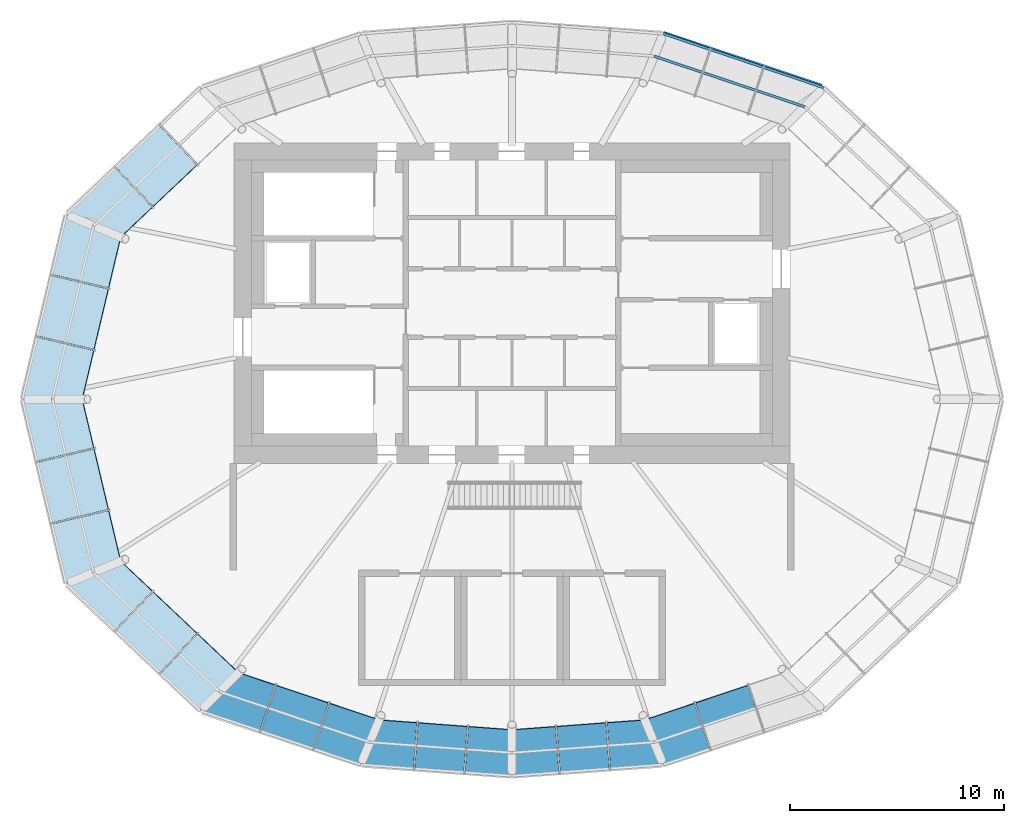
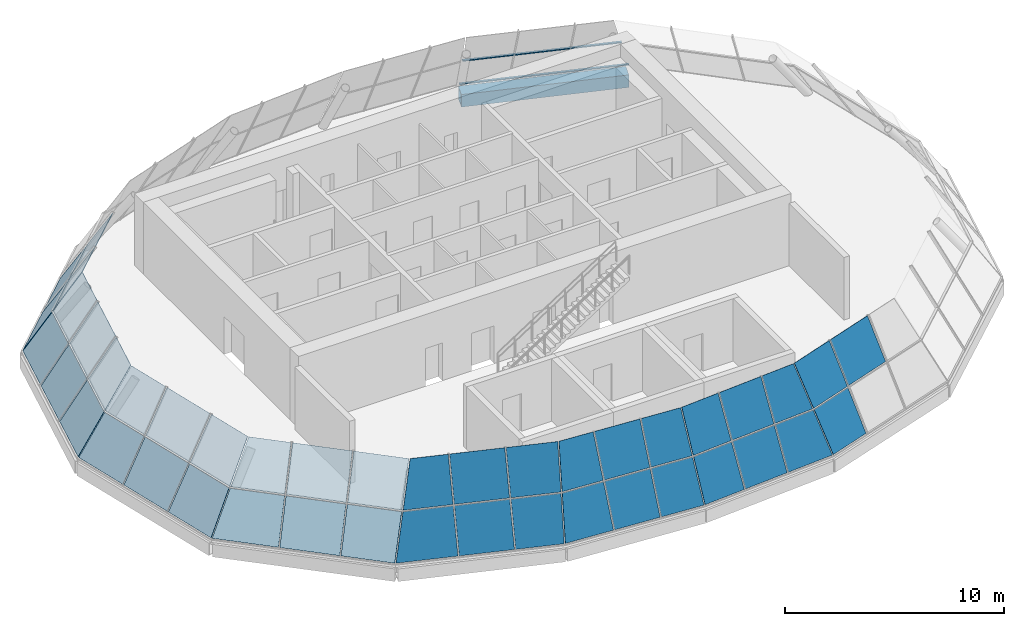
# One storey, part 3 of 8: 43 plates, 2 members, 1 beam, 9 elements without a shape of their own.
"""IFC4 building model written with IfcOpenShell, lengths in metres."""

from ifc_helpers import new_model, si_unit, direction, frame, origin, origin_2d, place, context, subcontext, project, spatial, polyline, rectangle, hollow_rectangle, outline, extrude, material, layer, layer_set, material_profile, profile_set, type_object, element, aggregate, save


model = new_model("IFC4")

# Units and contexts
model_context = context("Model", 3, precision=1e-05, world=origin(), true_north=direction((0.0, 1.0)))
body_context = subcontext(model_context, "Body", "Model", "MODEL_VIEW")
ifc_project = project(units=[si_unit("LENGTHUNIT", "METRE"), si_unit("AREAUNIT", "SQUARE_METRE"), si_unit("VOLUMEUNIT", "CUBIC_METRE"), si_unit("PLANEANGLEUNIT", "RADIAN"), si_unit("MASSUNIT", "GRAM", prefix="KILO")], contexts=[model_context])

# Site, building, storey
site_placement = place(None, origin())
site = spatial("IfcSite", under=ifc_project, at=site_placement, CompositionType="ELEMENT")
building_placement = place(site_placement, origin())
building = spatial("IfcBuilding", under=site, at=building_placement, Name="Rubra Terraces Tower", CompositionType="ELEMENT")
storey_placement = place(building_placement, frame((0.0, 0.0, 316.199951171875)))
storey = spatial("IfcBuildingStorey", under=building, at=storey_placement, Name="L78", CompositionType="ELEMENT", Elevation=316.199951171875)

# Beam
ifc_material_1 = material(Name="Steel Q355B", Category="steel")
ifc_material_profile_1 = material_profile(ifc_material_1, hollow_rectangle(XDim=0.699951171875, YDim=0.699951171875, WallThickness=0.034912109375, at=origin_2d()), Name="BOX 700x700x35")
ifc_profile_set_1 = profile_set([ifc_material_profile_1], Name="Steel Q355B")
beam_type = type_object("IfcBeamType", Name="CROWN RING GIRDER BOX 700x700x35", PredefinedType="BEAM", material=ifc_profile_set_1)
beam_placement = place(storey_placement, frame((14.41796875, 14.41796875, -0.550048828125), z_axis=(-0.948848570774, 0.315731515278, 0.0), x_axis=(-0.315731515278, -0.948848570774, 0.0)))
element("IfcBeam", 1, at=beam_placement, inside=storey, type_object=beam_type, Name="CROWN RING GIRDER", PredefinedType="BEAM", context=body_context, shape_type="SweptSolid", body=[
    extrude(hollow_rectangle(XDim=0.699951171875, YDim=0.699951171875, WallThickness=0.034912109375, at=origin_2d()), origin(), (0.0, 0.0, 1.0), 7.822998046875),
])

# Curtain wall, members
ifc_material_2 = material(Name="Aluminium and glass", Category="aluminium")
curtain_wall_type = type_object("IfcCurtainWallType", Name="Curtain wall Crown glazing", PredefinedType="NOTDEFINED", material=ifc_material_2)
curtain_wall_1_placement = place(storey_placement, origin())
curtain_wall_1 = element("IfcCurtainWall", 2, at=curtain_wall_1_placement, inside=storey, type_object=curtain_wall_type, Name="Crown glazing L78 facet 3", PredefinedType="NOTDEFINED")
ifc_material_3 = material(Name="Aluminium, anodised dark grey", Category="aluminium")
ifc_material_profile_2 = material_profile(ifc_material_3, rectangle(XDim=0.1201171875, YDim=0.06005859375, at=origin_2d()), Name="AL 120x60")
ifc_profile_set_2 = profile_set([ifc_material_profile_2], Name="Aluminium, anodised dark grey")
member_type = type_object("IfcMemberType", Name="Crown glazing transom 120 x 60", PredefinedType="USERDEFINED", material=ifc_profile_set_2)
member_1_placement = place(storey_placement, frame((14.5830078125, 14.5830078125, 0.0), z_axis=(-0.947908963881, 0.318541357116, 0.0), x_axis=(-0.318541357116, -0.947908963881, 0.0)))
member_1 = element("IfcMember", 3, at=member_1_placement, type_object=member_type, Name="Crown glazing L78 facet 3 transom 1", ObjectType="TRANSOM", PredefinedType="USERDEFINED", context=body_context, shape_type="SweptSolid", body=[
    extrude(rectangle(XDim=0.1201171875, YDim=0.06005859375, at=origin_2d()), origin(), (0.0, 0.0, 1.0), 7.9111328125),
])
member_2_placement = place(storey_placement, frame((13.68701171875, 13.6875, 2.10009765625), z_axis=(-0.947914369577, 0.318525270504, 0.0), x_axis=(-0.318525270504, -0.947914369577, 0.0)))
member_2 = element("IfcMember", 4, at=member_2_placement, type_object=member_type, Name="Crown glazing L78 facet 3 transom 2", ObjectType="TRANSOM", PredefinedType="USERDEFINED", context=body_context, shape_type="SweptSolid", body=[
    extrude(rectangle(XDim=0.1201171875, YDim=0.06005859375, at=origin_2d()), origin(), (0.0, 0.0, 1.0), 7.4248046875),
])
aggregate(curtain_wall_1, [member_1, member_2])

# Curtain wall, plates
curtain_wall_2_placement = place(storey_placement, origin())
curtain_wall_2 = element("IfcCurtainWall", 5, at=curtain_wall_2_placement, inside=storey, type_object=curtain_wall_type, Name="Crown glazing L78 facet 7", PredefinedType="NOTDEFINED")
ifc_material_4 = material(Name="Clear glass, laminated", Category="glass")
ifc_layer = layer(ifc_material_4, 0.028076171875)
ifc_layer_set = layer_set([ifc_layer], Name="Clear glass, laminated")
plate_type = type_object("IfcPlateType", Name="Crown glazing glass panel 28", PredefinedType="CURTAIN_PANEL", material=ifc_layer_set)
plate_1_placement = place(storey_placement, frame((-16.469482421875, 12.77783203125, 0.025634765625), z_axis=(-0.588324768553, 0.622256608875, 0.516401664811), x_axis=(-0.726641157579, -0.687017196373, 0.0)))
plate_1 = element("IfcPlate", 6, at=plate_1_placement, type_object=plate_type, Name="Crown glazing L78 facet 7 panel 2.1", PredefinedType="CURTAIN_PANEL", context=body_context, shape_type="SweptSolid", body=[
    extrude(outline(polyline([(0.0, 0.0), (2.821939120826223, 0.0), (2.821849014908368, 2.3925223439939147), (-9.01059178545216e-05, 2.3925223439939147), (0.0, 0.0)])), origin(), (0.0, 0.0, -1.0), 0.028076171875),
])
plate_2_placement = place(storey_placement, frame((-15.599365234375, 11.857666015625, 2.125732421875), z_axis=(-0.588314363129, 0.622206426484, 0.516473980931), x_axis=(-0.726625323269, -0.687033943405, -1.3900978e-05)))
plate_2 = element("IfcPlate", 7, at=plate_2_placement, type_object=plate_type, Name="Crown glazing L78 facet 7 panel 2.2", PredefinedType="CURTAIN_PANEL", context=body_context, shape_type="SweptSolid", body=[
    extrude(outline(polyline([(0.0, 0.0), (2.8219391198040804, 0.0), (2.822016744738247, 2.3924049009822292), (-9.010796217226364e-05, 2.392313277141531), (0.0, 0.0)])), origin(), (0.0, 0.0, -1.0), 0.028076171875),
])
plate_3_placement = place(storey_placement, frame((-18.5634765625, 10.7978515625, 0.025634765625), z_axis=(-0.588374365715, 0.622241875973, 0.516362908771), x_axis=(-0.726596690096, -0.68706422525, 1.7944294e-05)))
plate_3 = element("IfcPlate", 8, at=plate_3_placement, type_object=plate_type, Name="Crown glazing L78 facet 7 panel 3.1", PredefinedType="CURTAIN_PANEL", context=body_context, shape_type="SweptSolid", body=[
    extrude(outline(polyline([(0.0, 0.0), (3.1158684810754007, -2.220446049250313e-16), (2.5636042772674315, 2.3924033365098527), (2.6624339683751824e-05, 2.39252234309226), (0.0, 0.0)])), origin(), (0.0, 0.0, -1.0), 0.028076171875),
])
plate_4_placement = place(storey_placement, frame((-17.693359375, 9.877685546875, 2.125732421875), z_axis=(-0.588334079404, 0.62222249023, 0.516432167534), x_axis=(-0.726613494088, -0.687046454136, 8.276922e-06)))
plate_4 = element("IfcPlate", 9, at=plate_4_placement, type_object=plate_type, Name="Crown glazing L78 facet 7 panel 3.2", PredefinedType="CURTAIN_PANEL", context=body_context, shape_type="SweptSolid", body=[
    extrude(outline(polyline([(0.0, 0.0), (2.5495853275304845, 0.0), (1.997093707438992, 2.3922693329866975), (-2.3402205261171616e-05, 2.3923132795807778), (0.0, 0.0)])), origin(), (0.0, 0.0, -1.0), 0.028076171875),
])
aggregate(curtain_wall_2, [plate_1, plate_2, plate_3, plate_4])

curtain_wall_3_placement = place(storey_placement, origin())
curtain_wall_3 = element("IfcCurtainWall", 10, at=curtain_wall_3_placement, inside=storey, type_object=curtain_wall_type, Name="Crown glazing L78 facet 8", PredefinedType="NOTDEFINED")
plate_5_placement = place(storey_placement, frame((-20.856689453125, 8.607421875, 0.025146484375), z_axis=(-0.814941859399, 0.193486150252, 0.546290101923), x_axis=(-0.231005273573, -0.972952498096, -5.553718e-06)))
plate_5 = element("IfcPlate", 11, at=plate_5_placement, type_object=plate_type, Name="Crown glazing L78 facet 8 panel 1.1", PredefinedType="CURTAIN_PANEL", context=body_context, shape_type="SweptSolid", body=[
    extrude(outline(polyline([(0.0, 0.0), (2.8460264734212073, 5.551115123125783e-17), (2.846012358059382, 2.4472662215006054), (0.2152979742805045, 2.4472299077235715), (0.0, 0.0)])), origin(), (0.0, 0.0, -1.0), 0.028076171875),
])
plate_6_placement = place(storey_placement, frame((-19.5751953125, 8.076416015625, 2.125), z_axis=(-0.814988504595, 0.193513066793, 0.546210976052), x_axis=(-0.231010121289, -0.972951347004, 1.5022956e-05)))
plate_6 = element("IfcPlate", 12, at=plate_6_placement, type_object=plate_type, Name="Crown glazing L78 facet 8 panel 1.2", PredefinedType="CURTAIN_PANEL", context=body_context, shape_type="SweptSolid", body=[
    extrude(outline(polyline([(0.0, 0.0), (2.6254441125443835, -5.551115123125783e-17), (2.625521916650349, 2.4473409656147407), (0.21533349510959318, 2.4474312781552126), (0.0, 0.0)])), origin(), (0.0, 0.0, -1.0), 0.028076171875),
])
plate_7_placement = place(storey_placement, frame((-21.528076171875, 5.77978515625, 0.025146484375), z_axis=(-0.814969740045, 0.193459711245, 0.546257872196), x_axis=(-0.230955322845, -0.972964356308, 1.4286296e-05)))
plate_7 = element("IfcPlate", 13, at=plate_7_placement, type_object=plate_type, Name="Crown glazing L78 facet 8 panel 2.1", PredefinedType="CURTAIN_PANEL", context=body_context, shape_type="SweptSolid", body=[
    extrude(outline(polyline([(0.0, 0.0), (2.9009234202053773, 0.0), (2.901074995809679, 2.447136457926498), (-0.00014235009861665186, 2.447235418542341), (0.0, 0.0)])), origin(), (0.0, 0.0, -1.0), 0.028076171875),
])
plate_8_placement = place(storey_placement, frame((-20.195556640625, 5.46337890625, 2.125), z_axis=(-0.81499870081, 0.193466586029, 0.546212227772), x_axis=(-0.230979093438, -0.972958713336, -2.3178628e-05)))
plate_8 = element("IfcPlate", 14, at=plate_8_placement, type_object=plate_type, Name="Crown glazing L78 facet 8 panel 2.2", PredefinedType="CURTAIN_PANEL", context=body_context, shape_type="SweptSolid", body=[
    extrude(outline(polyline([(0.0, 0.0), (2.9009798086840703, 0.0), (2.9009655341712035, 2.4474707118524774), (-0.00019542188100586587, 2.447310160104968), (0.0, 0.0)])), origin(), (0.0, 0.0, -1.0), 0.028076171875),
])
plate_9_placement = place(storey_placement, frame((-22.2119140625, 2.89892578125, 0.025146484375), z_axis=(-0.814964574892, 0.193491341995, 0.546254375034), x_axis=(-0.231009236395, -0.972951557146, -1.2158522e-05)))
plate_9 = element("IfcPlate", 15, at=plate_9_placement, type_object=plate_type, Name="Crown glazing L78 facet 8 panel 3.1", PredefinedType="CURTAIN_PANEL", context=body_context, shape_type="SweptSolid", body=[
    extrude(outline(polyline([(0.0, 0.0), (2.949418794304143, 0.0), (2.631981766622705, 2.4472174796783768), (2.3299453398322794e-05, 2.4471364628053767), (0.0, 0.0)])), origin(), (0.0, 0.0, -1.0), 0.028076171875),
])
plate_10_placement = place(storey_placement, frame((-20.87939453125, 2.58251953125, 2.125), z_axis=(-0.814982427057, 0.193553660734, 0.546205660905), x_axis=(-0.231074642735, -0.97293602531, -1.1797404e-05)))
plate_10 = element("IfcPlate", 16, at=plate_10_placement, type_object=plate_type, Name="Crown glazing L78 facet 8 panel 3.2", PredefinedType="CURTAIN_PANEL", context=body_context, shape_type="SweptSolid", body=[
    extrude(outline(polyline([(0.0, 0.0), (2.624256436827165, 0.0), (2.3067302766430067, 2.4474104148838594), (-6.582339700356079e-05, 2.447340966375226), (0.0, 0.0)])), origin(), (0.0, 0.0, -1.0), 0.028076171875),
])
aggregate(curtain_wall_3, [plate_5, plate_6, plate_7, plate_8, plate_9, plate_10])

curtain_wall_4_placement = place(storey_placement, origin())
curtain_wall_4 = element("IfcCurtainWall", 17, at=curtain_wall_4_placement, inside=storey, type_object=curtain_wall_type, Name="Crown glazing L78 facet 9", PredefinedType="NOTDEFINED")
plate_11_placement = place(storey_placement, frame((-22.893310546875, -0.029296875, 0.02490234375), z_axis=(-0.814993880603, -0.193534940311, 0.546195204536), x_axis=(0.231038288967, -0.972944658744, -7.313802e-06)))
plate_11 = element("IfcPlate", 18, at=plate_11_placement, type_object=plate_type, Name="Crown glazing L78 facet 9 panel 1.1", PredefinedType="CURTAIN_PANEL", context=body_context, shape_type="SweptSolid", body=[
    extrude(outline(polyline([(0.0, 0.0), (2.9494187947703185, -5.551115123125783e-17), (2.9494518975524993, 2.4476752149922545), (0.31743702856361616, 2.44762648209279), (0.0, 0.0)])), origin(), (0.0, 0.0, -1.0), 0.028076171875),
])
plate_12_placement = place(storey_placement, frame((-21.48583984375, -0.029296875, 2.125), z_axis=(-0.81496875628, -0.193508941876, 0.546241902184), x_axis=(0.231015482675, -0.972950074108, -7.576756e-06)))
plate_12 = element("IfcPlate", 19, at=plate_12_placement, type_object=plate_type, Name="Crown glazing L78 facet 9 panel 1.2", PredefinedType="CURTAIN_PANEL", context=body_context, shape_type="SweptSolid", body=[
    extrude(outline(polyline([(0.0, 0.0), (2.624200028931866, -5.551115123125783e-17), (2.62420125596323, 2.447470714719079), (0.3174051548998437, 2.447426111410534), (0.0, 0.0)])), origin(), (0.0, 0.0, -1.0), 0.028076171875),
])
plate_13_placement = place(storey_placement, frame((-22.1982421875, -2.957275390625, 0.02490234375), z_axis=(-0.814998133201, -0.193501697499, 0.546200637078), x_axis=(0.231007041869, -0.972952078258, 4.44736e-06)))
plate_13 = element("IfcPlate", 20, at=plate_13_placement, type_object=plate_type, Name="Crown glazing L78 facet 9 panel 2.1", PredefinedType="CURTAIN_PANEL", context=body_context, shape_type="SweptSolid", body=[
    extrude(outline(polyline([(0.0, 0.0), (2.900979811199871, 1.1102230246251565e-16), (2.9012316278728068, 2.4476444097594596), (1.4279544454656229e-05, 2.4476752153790957), (0.0, 0.0)])), origin(), (0.0, 0.0, -1.0), 0.028076171875),
])
plate_14_placement = place(storey_placement, frame((-20.86572265625, -2.640869140625, 2.125), z_axis=(-0.814965928641, -0.193485683629, 0.546254359603), x_axis=(0.230994763612, -0.972954993401, 0.0)))
plate_14 = element("IfcPlate", 21, at=plate_14_placement, type_object=plate_type, Name="Crown glazing L78 facet 9 panel 2.2", PredefinedType="CURTAIN_PANEL", context=body_context, shape_type="SweptSolid", body=[
    extrude(outline(polyline([(0.0, 0.0), (2.901217348588058, 0.0), (2.901205638108132, 2.4474707149620425), (-1.1710479926152484e-05, 2.4474707149620425), (0.0, 0.0)])), origin(), (0.0, 0.0, -1.0), 0.028076171875),
])
plate_15_placement = place(storey_placement, frame((-21.51416015625, -5.83837890625, 0.02490234375), z_axis=(-0.814996844383, -0.193490339836, 0.546206583662), x_axis=(0.230998242864, -0.972954167311, 1.0264458e-05)))
plate_15 = element("IfcPlate", 22, at=plate_15_placement, type_object=plate_type, Name="Crown glazing L78 facet 9 panel 3.1", PredefinedType="CURTAIN_PANEL", context=body_context, shape_type="SweptSolid", body=[
    extrude(outline(polyline([(0.0, 0.0), (2.8460264730657436, -5.551115123125783e-17), (2.630728499469276, 2.4476389072607625), (-0.00022342209987948216, 2.447706021425159), (0.0, 0.0)])), origin(), (0.0, 0.0, -1.0), 0.028076171875),
])
plate_16_placement = place(storey_placement, frame((-20.181884765625, -5.52197265625, 2.125), z_axis=(-0.814956849735, -0.193546160347, 0.546246479974), x_axis=(0.231068585799, -0.972937463886, 4.789711e-06)))
plate_16 = element("IfcPlate", 23, at=plate_16_placement, type_object=plate_type, Name="Crown glazing L78 facet 9 panel 3.2", PredefinedType="CURTAIN_PANEL", context=body_context, shape_type="SweptSolid", body=[
    extrude(outline(polyline([(0.0, 0.0), (2.625500517664805, 0.0), (2.410287972989275, 2.447441917739246), (9.954895670150342e-05, 2.447470712857248), (0.0, 0.0)])), origin(), (0.0, 0.0, -1.0), 0.028076171875),
])
aggregate(curtain_wall_4, [plate_11, plate_12, plate_13, plate_14, plate_15, plate_16])

curtain_wall_5_placement = place(storey_placement, origin())
curtain_wall_5 = element("IfcCurtainWall", 24, at=curtain_wall_5_placement, inside=storey, type_object=curtain_wall_type, Name="Crown glazing L78 facet 10", PredefinedType="NOTDEFINED")
plate_17_placement = place(storey_placement, frame((-20.827880859375, -8.6572265625, 0.025146484375), z_axis=(-0.588333119316, -0.622237186572, 0.516415553952), x_axis=(0.726622289333, -0.687037152257, -7.952206e-06)))
plate_17 = element("IfcPlate", 25, at=plate_17_placement, type_object=plate_type, Name="Crown glazing L78 facet 10 panel 1.1", PredefinedType="CURTAIN_PANEL", context=body_context, shape_type="SweptSolid", body=[
    extrude(outline(polyline([(0.0, 0.0), (3.116045873880555, 1.1102230246251565e-16), (3.1161050766925373, 2.393715075626134), (0.5528725511675674, 2.393662336188252), (0.0, 0.0)])), origin(), (0.0, 0.0, -1.0), 0.028076171875),
])
plate_18_placement = place(storey_placement, frame((-19.54638671875, -8.126220703125, 2.125), z_axis=(-0.588303138601, -0.622238398589, 0.516448247585), x_axis=(0.726645205468, -0.687012914987, 3.56085e-06)))
plate_18 = element("IfcPlate", 26, at=plate_18_placement, type_object=plate_type, Name="Crown glazing L78 facet 10 panel 1.2", PredefinedType="CURTAIN_PANEL", context=body_context, shape_type="SweptSolid", body=[
    extrude(outline(polyline([(0.0, 0.0), (2.5497627268852217, 0.0), (2.549719036242621, 2.3940157556394435), (0.5529470573844225, 2.394034661606713), (0.0, 0.0)])), origin(), (0.0, 0.0, -1.0), 0.028076171875),
])
plate_19_placement = place(storey_placement, frame((-18.520263671875, -10.83935546875, 0.025146484375), z_axis=(-0.588311902539, -0.622243000809, 0.516432719022), x_axis=(0.726641157579, -0.687017196373, 0.0)))
plate_19 = element("IfcPlate", 27, at=plate_19_placement, type_object=plate_type, Name="Crown glazing L78 facet 10 panel 2.1", PredefinedType="CURTAIN_PANEL", context=body_context, shape_type="SweptSolid", body=[
    extrude(outline(polyline([(0.0, 0.0), (2.821939120826223, 0.0), (2.8220485743813852, 2.39371507433678), (0.00010945355516234212, 2.3937150743367805), (0.0, 0.0)])), origin(), (0.0, 0.0, -1.0), 0.028076171875),
])
plate_20_placement = place(storey_placement, frame((-17.650146484375, -9.919189453125, 2.125), z_axis=(-0.588330588085, -0.622262764051, 0.516387617589), x_axis=(0.726641157579, -0.687017196373, 0.0)))
plate_20 = element("IfcPlate", 28, at=plate_20_placement, type_object=plate_type, Name="Crown glazing L78 facet 10 panel 2.2", PredefinedType="CURTAIN_PANEL", context=body_context, shape_type="SweptSolid", body=[
    extrude(outline(polyline([(0.0, 0.0), (2.821939120826223, 1.1102230246251565e-16), (2.8220485743813852, 2.3939241420535557), (0.00010945355516234212, 2.3939241420535557), (0.0, 0.0)])), origin(), (0.0, 0.0, -1.0), 0.028076171875),
])
plate_21_placement = place(storey_placement, frame((-16.42626953125, -12.8193359375, 0.025146484375), z_axis=(-0.588310108662, -0.622236032768, 0.516443158122), x_axis=(0.726635886422, -0.687022771477, -5.976351e-06)))
plate_21 = element("IfcPlate", 29, at=plate_21_placement, type_object=plate_type, Name="Crown glazing L78 facet 10 panel 3.1", PredefinedType="CURTAIN_PANEL", context=body_context, shape_type="SweptSolid", body=[
    extrude(outline(polyline([(0.0, 0.0), (2.5216103305659687, 0.0), (2.556240213448923, 2.393750513257208), (8.771854341771881e-05, 2.393715075054084), (0.0, 0.0)])), origin(), (0.0, 0.0, -1.0), 0.028076171875),
])
plate_22_placement = place(storey_placement, frame((-15.55615234375, -11.899169921875, 2.125), z_axis=(-0.588317037962, -0.622266996113, 0.51639795545), x_axis=(0.72664897104, -0.687008932149, -5.837032e-06)))
plate_22 = element("IfcPlate", 30, at=plate_22_placement, type_object=plate_type, Name="Crown glazing L78 facet 10 panel 3.2", PredefinedType="CURTAIN_PANEL", context=body_context, shape_type="SweptSolid", body=[
    extrude(outline(polyline([(0.0, 0.0), (2.5568427579165243, 0.0), (2.591496470257218, 2.393959233058197), (0.00011154670700981364, 2.3939241417824837), (0.0, 0.0)])), origin(), (0.0, 0.0, -1.0), 0.028076171875),
])
aggregate(curtain_wall_5, [plate_17, plate_18, plate_19, plate_20, plate_21, plate_22])

curtain_wall_6_placement = place(storey_placement, origin())
curtain_wall_6 = element("IfcCurtainWall", 31, at=curtain_wall_6_placement, inside=storey, type_object=curtain_wall_type, Name="Crown glazing L78 facet 11", PredefinedType="NOTDEFINED")
plate_23_placement = place(storey_placement, frame((-14.543701171875, -14.58154296875, 0.025634765625), z_axis=(-0.28026435084, -0.834059481828, 0.475180675556), x_axis=(0.947914519436, -0.318524824503, -4.214466e-06)))
plate_23 = element("IfcPlate", 32, at=plate_23_placement, type_object=plate_type, Name="Crown glazing L78 facet 11 panel 1.1", PredefinedType="CURTAIN_PANEL", context=body_context, shape_type="SweptSolid", body=[
    extrude(outline(polyline([(0.0, 0.0), (2.8910683883531125, -5.551115123125783e-17), (2.8911588551991443, 2.3285233310681424), (0.5502482396752404, 2.3284982710691158), (0.0, 0.0)])), origin(), (0.0, 0.0, -1.0), 0.028076171875),
])
plate_24_placement = place(storey_placement, frame((-13.647705078125, -13.68603515625, 2.125732421875), z_axis=(-0.2802865017, -0.834002823172, 0.475267049042), x_axis=(0.947904162786, -0.318555643269, 1.7749832e-05)))
plate_24 = element("IfcPlate", 33, at=plate_24_placement, type_object=plate_type, Name="Crown glazing L78 facet 11 panel 1.2", PredefinedType="CURTAIN_PANEL", context=body_context, shape_type="SweptSolid", body=[
    extrude(outline(polyline([(0.0, 0.0), (2.327013926692697, 0.0), (2.3271134155657562, 2.3283085169208686), (0.5501794908100914, 2.3283913095361637), (0.0, 0.0)])), origin(), (0.0, 0.0, -1.0), 0.028076171875),
])
plate_25_placement = place(storey_placement, frame((-11.746337890625, -15.521484375, 0.025634765625), z_axis=(-0.280318083428, -0.834035903296, 0.475190366186), x_axis=(0.947894085169, -0.318585629465, 0.0)))
plate_25 = element("IfcPlate", 34, at=plate_25_placement, type_object=plate_type, Name="Crown glazing L78 facet 11 panel 2.1", PredefinedType="CURTAIN_PANEL", context=body_context, shape_type="SweptSolid", body=[
    extrude(outline(polyline([(0.0, 0.0), (2.577156173850558, 5.551115123125783e-17), (2.5771842975819723, 2.328523332796875), (2.812373141453106e-05, 2.328523332796875), (0.0, 0.0)])), origin(), (0.0, 0.0, -1.0), 0.028076171875),
])
plate_26_placement = place(storey_placement, frame((-11.385009765625, -14.4462890625, 2.125732421875), z_axis=(-0.280310539788, -0.834013458554, 0.47523420777), x_axis=(0.947894085169, -0.318585629465, 0.0)))
plate_26 = element("IfcPlate", 35, at=plate_26_placement, type_object=plate_type, Name="Crown glazing L78 facet 11 panel 2.2", PredefinedType="CURTAIN_PANEL", context=body_context, shape_type="SweptSolid", body=[
    extrude(outline(polyline([(0.0, 0.0), (2.577156173850558, 5.551115123125783e-17), (2.5771842975819723, 2.328308520498562), (2.812373141453106e-05, 2.328308520498562), (0.0, 0.0)])), origin(), (0.0, 0.0, -1.0), 0.028076171875),
])
plate_27_placement = place(storey_placement, frame((-9.24658203125, -16.361572265625, 0.025634765625), z_axis=(-0.280291574263, -0.834041767396, 0.475195710878), x_axis=(0.94790334704, -0.318558071097, -2.978237e-06)))
plate_27 = element("IfcPlate", 36, at=plate_27_placement, type_object=plate_type, Name="Crown glazing L78 facet 11 panel 3.1", PredefinedType="CURTAIN_PANEL", context=body_context, shape_type="SweptSolid", body=[
    extrude(outline(polyline([(0.0, 0.0), (2.2569898802476285, 0.0), (2.3330130010331884, 2.328538868451867), (5.4190996626113764e-05, 2.3285233322931624), (0.0, 0.0)])), origin(), (0.0, 0.0, -1.0), 0.028076171875),
])
plate_28_placement = place(storey_placement, frame((-8.88525390625, -15.286376953125, 2.125732421875), z_axis=(-0.28032529503, -0.834005096226, 0.475240179736), x_axis=(0.94788750249, -0.318605214352, -3.216611e-06)))
plate_28 = element("IfcPlate", 37, at=plate_28_placement, type_object=plate_type, Name="Crown glazing L78 facet 11 panel 3.2", PredefinedType="CURTAIN_PANEL", context=body_context, shape_type="SweptSolid", body=[
    extrude(outline(polyline([(0.0, 0.0), (2.3348120845228157, 5.551115123125783e-17), (2.410779685014791, 2.328325869730795), (-1.3275977459316536e-06, 2.3283085206144074), (0.0, 0.0)])), origin(), (0.0, 0.0, -1.0), 0.028076171875),
])
aggregate(curtain_wall_6, [plate_23, plate_24, plate_25, plate_26, plate_27, plate_28])

curtain_wall_7_placement = place(storey_placement, origin())
curtain_wall_7 = element("IfcCurtainWall", 38, at=curtain_wall_7_placement, inside=storey, type_object=curtain_wall_type, Name="Crown glazing L78 facet 12", PredefinedType="NOTDEFINED")
plate_29_placement = place(storey_placement, frame((-7.048583984375, -17.092041015625, 0.0263671875), z_axis=(-0.065827844026, -0.886928464313, 0.457192075765), x_axis=(0.997257210201, -0.074013895159, 4.94697e-06)))
plate_29 = element("IfcPlate", 39, at=plate_29_placement, type_object=plate_type, Name="Crown glazing L78 facet 12 panel 1.1", PredefinedType="CURTAIN_PANEL", context=body_context, shape_type="SweptSolid", body=[
    extrude(outline(polyline([(0.0, 0.0), (2.441264448864069, -1.3877787807814457e-17), (2.441259761377617, 2.3020293600439947), (0.3471345173615588, 2.3020545874392075), (0.0, 0.0)])), origin(), (0.0, 0.0, -1.0), 0.028076171875),
])
plate_30_placement = place(storey_placement, frame((-6.613525390625, -16.041748046875, 2.12646484375), z_axis=(-0.065875532479, -0.886877750621, 0.457283576869), x_axis=(0.997253881443, -0.074058727124, 2.9725824e-05)))
plate_30 = element("IfcPlate", 40, at=plate_30_placement, type_object=plate_type, Name="Crown glazing L78 facet 12 panel 1.2", PredefinedType="CURTAIN_PANEL", context=body_context, shape_type="SweptSolid", body=[
    extrude(outline(polyline([(0.0, 0.0), (2.0850626034649613, 1.3877787807814457e-17), (2.0853047971145817, 2.301820487367757), (0.3471198444371309, 2.3019482805844835), (0.0, 0.0)])), origin(), (0.0, 0.0, -1.0), 0.028076171875),
])
plate_31_placement = place(storey_placement, frame((-4.55419921875, -17.277099609375, 0.0263671875), z_axis=(-0.065858915129, -0.886931418452, 0.457181870004), x_axis=(0.997254460847, -0.074050930582, 0.0)))
plate_31 = element("IfcPlate", 41, at=plate_31_placement, type_object=plate_type, Name="Crown glazing L78 facet 12 panel 2.1", PredefinedType="CURTAIN_PANEL", context=body_context, shape_type="SweptSolid", body=[
    extrude(outline(polyline([(0.0, 0.0), (2.3078499643103942, -1.3877787807814457e-17), (2.3077960635388663, 2.3020293595692936), (-5.390077152758832e-05, 2.302029359569293), (0.0, 0.0)])), origin(), (0.0, 0.0, -1.0), 0.028076171875),
])
plate_32_placement = place(storey_placement, frame((-4.47412109375, -16.200439453125, 2.12646484375), z_axis=(-0.065857273408, -0.886909309171, 0.457224995867), x_axis=(0.997254460847, -0.074050930582, 0.0)))
plate_32 = element("IfcPlate", 42, at=plate_32_placement, type_object=plate_type, Name="Crown glazing L78 facet 12 panel 2.2", PredefinedType="CURTAIN_PANEL", context=body_context, shape_type="SweptSolid", body=[
    extrude(outline(polyline([(0.0, 0.0), (2.3078499643103942, 0.0), (2.3077960635388663, 2.3018122301398707), (-5.390077152758743e-05, 2.3018122301398707), (0.0, 0.0)])), origin(), (0.0, 0.0, -1.0), 0.028076171875),
])
plate_33_placement = place(storey_placement, frame((-2.19287109375, -17.45263671875, 0.0263671875), z_axis=(-0.065849766478, -0.886882187683, 0.457278682452), x_axis=(0.997254643466, -0.074048470841, -7.182539e-06)))
plate_33 = element("IfcPlate", 43, at=plate_33_placement, type_object=plate_type, Name="Crown glazing L78 facet 12 panel 3.1", PredefinedType="CURTAIN_PANEL", context=body_context, shape_type="SweptSolid", body=[
    extrude(outline(polyline([(0.0, 0.0), (2.1690429772759368, 0.0), (2.0908579624589243, 2.3021750846888485), (-8.408840933604928e-05, 2.3021406793098333), (0.0, 0.0)])), origin(), (0.0, 0.0, -1.0), 0.028076171875),
])
plate_34_placement = place(storey_placement, frame((-2.11279296875, -16.3759765625, 2.12646484375), z_axis=(-0.065838309736, -0.886883876285, 0.457277057108), x_axis=(0.99725655986, -0.074022655284, 1.790342e-05)))
plate_34 = element("IfcPlate", 44, at=plate_34_placement, type_object=plate_type, Name="Crown glazing L78 facet 12 panel 3.2", PredefinedType="CURTAIN_PANEL", context=body_context, shape_type="SweptSolid", body=[
    extrude(outline(polyline([(0.0, 0.0), (2.088732741582491, -1.3877787807814457e-17), (2.0104009361189767, 2.3018410389454806), (-5.4821659572415194e-06, 2.3019235607094806), (0.0, 0.0)])), origin(), (0.0, 0.0, -1.0), 0.028076171875),
])
aggregate(curtain_wall_7, [plate_29, plate_30, plate_31, plate_32, plate_33, plate_34])

curtain_wall_8_placement = place(storey_placement, origin())
curtain_wall_8 = element("IfcCurtainWall", 45, at=curtain_wall_8_placement, inside=storey, type_object=curtain_wall_type, Name="Crown glazing L78 facet 13", PredefinedType="NOTDEFINED")
plate_35_placement = place(storey_placement, frame((0.02978515625, -17.613037109375, 0.02685546875), z_axis=(0.065849567636, -0.88687950962, 0.457283905094), x_axis=(0.99725464346, 0.074048470925, 7.1826e-06)))
plate_35 = element("IfcPlate", 46, at=plate_35_placement, type_object=plate_type, Name="Crown glazing L78 facet 13 panel 1.1", PredefinedType="CURTAIN_PANEL", context=body_context, shape_type="SweptSolid", body=[
    extrude(outline(polyline([(0.0, 0.0), (2.169042977275938, 0.0), (2.1690909024034246, 2.3010495318226547), (0.07814885153516885, 2.3010839375946186), (0.0, 0.0)])), origin(), (0.0, 0.0, -1.0), 0.028076171875),
])
plate_36_placement = place(storey_placement, frame((0.02978515625, -16.530517578125, 2.126708984375), z_axis=(0.065838210362, -0.886882537656, 0.457279667662), x_axis=(0.997254755076, 0.07404696218, 2.9499178e-05)))
plate_36 = element("IfcPlate", 47, at=plate_36_placement, type_object=plate_type, Name="Crown glazing L78 facet 13 panel 1.2", PredefinedType="CURTAIN_PANEL", context=body_context, shape_type="SweptSolid", body=[
    extrude(outline(polyline([(0.0, 0.0), (2.0887508164869715, 1.3877787807814457e-17), (2.0888428253228852, 2.3012666504789157), (0.07845448336687609, 2.3014026204739975), (0.0, 0.0)])), origin(), (0.0, 0.0, -1.0), 0.028076171875),
])
plate_37_placement = place(storey_placement, frame((2.252685546875, -17.447998046875, 0.02685546875), z_axis=(0.065855531889, -0.886885855889, 0.457270737686), x_axis=(0.997254460847, 0.074050930582, 0.0)))
plate_37 = element("IfcPlate", 48, at=plate_37_placement, type_object=plate_type, Name="Crown glazing L78 facet 13 panel 2.1", PredefinedType="CURTAIN_PANEL", context=body_context, shape_type="SweptSolid", body=[
    extrude(outline(polyline([(0.0, 0.0), (2.3078499643103942, 1.3877787807814457e-17), (2.3078857862414477, 2.3010495322951185), (3.582193105354514e-05, 2.3010495322951185), (0.0, 0.0)])), origin(), (0.0, 0.0, -1.0), 0.028076171875),
])
plate_38_placement = place(storey_placement, frame((2.172607421875, -16.371337890625, 2.126708984375), z_axis=(0.065902363095, -0.886883050525, 0.457269431768), x_axis=(0.997251370441, 0.074092534673, -2.1450677e-05)))
plate_38 = element("IfcPlate", 49, at=plate_38_placement, type_object=plate_type, Name="Crown glazing L78 facet 13 panel 2.2", PredefinedType="CURTAIN_PANEL", context=body_context, shape_type="SweptSolid", body=[
    extrude(outline(polyline([(0.0, 0.0), (2.307849961771087, 1.3877787807814457e-17), (2.307903867621288, 2.30137798497619), (3.5816852478414754e-05, 2.3012666534378257), (0.0, 0.0)])), origin(), (0.0, 0.0, -1.0), 0.028076171875),
])
plate_39_placement = place(storey_placement, frame((4.614013671875, -17.272705078125, 0.02685546875), z_axis=(0.065919437112, -0.886872543163, 0.457287349481), x_axis=(0.997249376388, 0.074119371483, -8.051976e-06)))
plate_39 = element("IfcPlate", 50, at=plate_39_placement, type_object=plate_type, Name="Crown glazing L78 facet 13 panel 3.1", PredefinedType="CURTAIN_PANEL", context=body_context, shape_type="SweptSolid", body=[
    extrude(outline(polyline([(0.0, 0.0), (2.4412825282249555, 0.0), (2.094234888132307, 2.301090594513761), (9.155661726605715e-05, 2.3010495303509546), (0.0, 0.0)])), origin(), (0.0, 0.0, -1.0), 0.028076171875),
])
plate_40_placement = place(storey_placement, frame((4.5341796875, -16.19580078125, 2.126708984375), z_axis=(0.06582092802, -0.886907189723, 0.457234340631), x_axis=(0.997257610575, 0.074008500432, -3.827949e-06)))
plate_40 = element("IfcPlate", 51, at=plate_40_placement, type_object=plate_type, Name="Crown glazing L78 facet 13 panel 3.2", PredefinedType="CURTAIN_PANEL", context=body_context, shape_type="SweptSolid", body=[
    extrude(outline(polyline([(0.0, 0.0), (2.085062607797294, 0.0), (1.7381500933100684, 2.3012831121848514), (-1.678042235590833e-05, 2.3012666561357373), (0.0, 0.0)])), origin(), (0.0, 0.0, -1.0), 0.028076171875),
])
aggregate(curtain_wall_8, [plate_35, plate_36, plate_37, plate_38, plate_39, plate_40])

curtain_wall_9_placement = place(storey_placement, origin())
curtain_wall_9 = element("IfcCurtainWall", 52, at=curtain_wall_9_placement, inside=storey, type_object=curtain_wall_type, Name="Crown glazing L78 facet 14", PredefinedType="NOTDEFINED")
plate_41_placement = place(storey_placement, frame((7.10693359375, -17.080078125, 0.0263671875), z_axis=(0.280230049275, -0.834044745853, 0.475226768394), x_axis=(0.947929810806, 0.318479313462, -2.6133913e-05)))
plate_41 = element("IfcPlate", 53, at=plate_41_placement, type_object=plate_type, Name="Crown glazing L78 facet 14 panel 1.1", PredefinedType="CURTAIN_PANEL", context=body_context, shape_type="SweptSolid", body=[
    extrude(outline(polyline([(0.0, 0.0), (2.2571435451005173, -5.551115123125783e-17), (2.257013734558742, 2.3269775489087596), (-0.07594506828665429, 2.326841212585678), (0.0, 0.0)])), origin(), (0.0, 0.0, -1.0), 0.028076171875),
])
plate_42_placement = place(storey_placement, frame((6.671875, -16.02978515625, 2.12646484375), z_axis=(0.280296931085, -0.834011230277, 0.475246144851), x_axis=(0.94789798376, 0.318574029662, 2.99336e-06)))
plate_42 = element("IfcPlate", 54, at=plate_42_placement, type_object=plate_type, Name="Crown glazing L78 facet 14 panel 1.2", PredefinedType="CURTAIN_PANEL", context=body_context, shape_type="SweptSolid", body=[
    extrude(outline(polyline([(0.0, 0.0), (2.3350435032096564, -5.551115123125783e-17), (2.335006056456541, 2.3266527650645843), (-0.07600637598790258, 2.3266689116905863), (0.0, 0.0)])), origin(), (0.0, 0.0, -1.0), 0.028076171875),
])
plate_43_placement = place(storey_placement, frame((8.942138671875, -15.266845703125, 2.12646484375), z_axis=(0.28026537205, -0.834003066984, 0.475279081689), x_axis=(0.947911618973, 0.318533455484, -1.8775814e-05)))
plate_43 = element("IfcPlate", 55, at=plate_43_placement, type_object=plate_type, Name="Crown glazing L78 facet 14 panel 2.2", PredefinedType="CURTAIN_PANEL", context=body_context, shape_type="SweptSolid", body=[
    extrude(outline(polyline([(0.0, 0.0), (2.577078402535566, 1.1102230246251565e-16), (2.577026829408008, 2.326762751735009), (-0.00012934008446324982, 2.3266527595899893), (0.0, 0.0)])), origin(), (0.0, 0.0, -1.0), 0.028076171875),
])
aggregate(curtain_wall_9, [plate_41, plate_42, plate_43])

save(model, "model.ifc")
